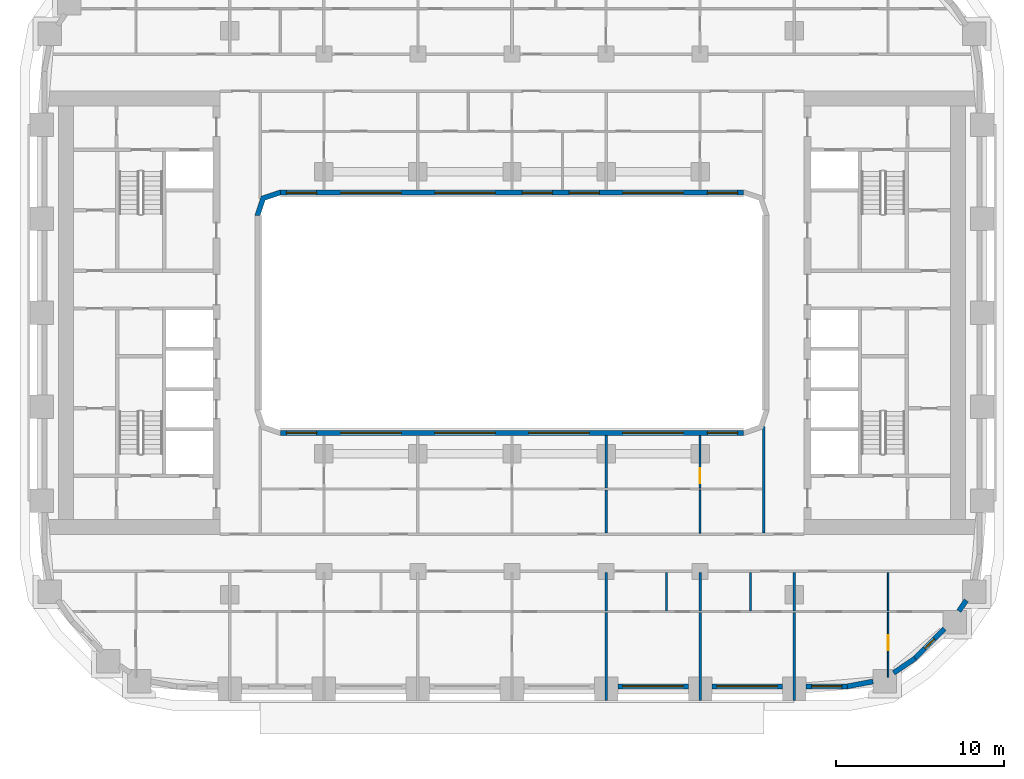
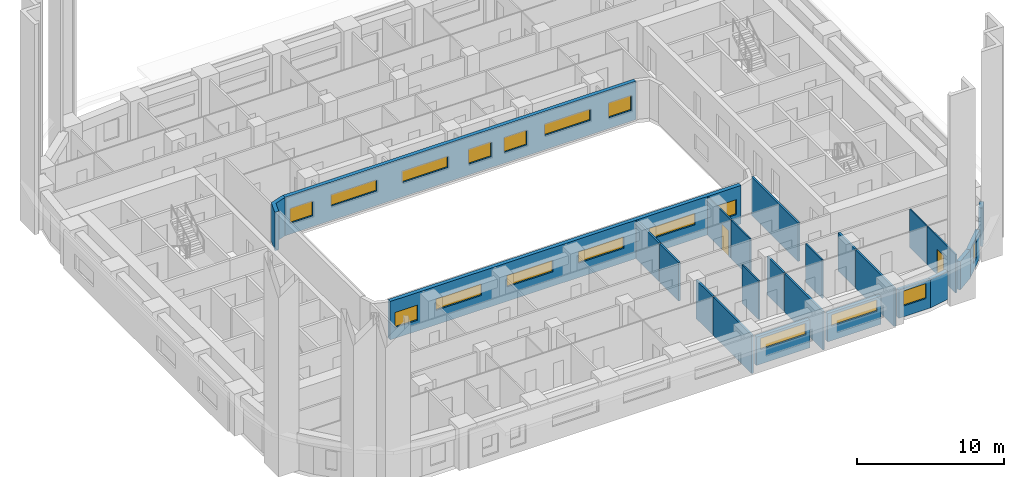
# One storey, part 5 of 22: 25 walls, 17 windows, 2 doors, 19 openings.
"""IFC4 building model written with IfcOpenShell, lengths in metres."""

from ifc_helpers import new_model, si_unit, direction, frame, frame_2d, origin, place, context, subcontext, project, spatial, polyline, rectangle, outline, extrude, material, layer, layer_set, type_object, element, fill, save


model = new_model("IFC4")

# Units and contexts
model_context = context("Model", 3, precision=1e-05, world=origin(), true_north=direction((0.0, 1.0)))
body_context = subcontext(model_context, "Body", "Model", "MODEL_VIEW")
ifc_project = project(units=[si_unit("LENGTHUNIT", "METRE"), si_unit("AREAUNIT", "SQUARE_METRE"), si_unit("VOLUMEUNIT", "CUBIC_METRE"), si_unit("PLANEANGLEUNIT", "RADIAN"), si_unit("MASSUNIT", "GRAM", prefix="KILO")], contexts=[model_context])

# Site, building, storey
site_placement = place(None, origin())
site = spatial("IfcSite", under=ifc_project, at=site_placement, CompositionType="ELEMENT")
building_placement = place(site_placement, origin())
building = spatial("IfcBuilding", under=site, at=building_placement, Name="Kiln Ring Residences", CompositionType="ELEMENT")
storey_placement = place(building_placement, frame((0.0, 0.0, 55.0)))
storey = spatial("IfcBuildingStorey", under=building, at=storey_placement, Name="L13", CompositionType="ELEMENT", Elevation=55.0)

# Wall, opening, window
ifc_material_1 = material(Name="Brick masonry, dark clay brick", Category="masonry")
ifc_layer_1 = layer(ifc_material_1, 0.300048828125)
ifc_layer_set_1 = layer_set([ifc_layer_1], Name="EW-300 BRICK WALL")
wall_type_1 = type_object("IfcWallType", Name="EW-300 BRICK WALL", PredefinedType="SOLIDWALL", material=ifc_layer_set_1)
wall_1_placement = place(storey_placement, frame((6.300048828125, -22.25, 0.0), z_axis=(0.0, 0.0, 1.0), x_axis=(1.0, 0.0, 0.0)))
wall_1 = element("IfcWall", 1, at=wall_1_placement, inside=storey, type_object=wall_type_1, Name="Facade wall L13 9", PredefinedType="SOLIDWALL", context=body_context, shape_type="SweptSolid", body=[
    extrude(rectangle(XDim=4.199951171875, YDim=0.300048828125, at=frame_2d((2.10009765625, 0.0))), origin(), (0.0, 0.0, 1.0), 2.35009765625),
])
opening_1_placement = place(wall_1_placement, frame((0.300048828125, 0.0, 1.199951171875)))
opening_1 = element("IfcOpeningElement", 2, at=opening_1_placement, cuts=wall_1, Name="Opening W4", PredefinedType="OPENING", context=body_context, shape_type="SweptSolid", body=[
    extrude(rectangle(XDim=3.60009765625, YDim=0.949951171875, at=frame_2d((1.800048828125, 0.47509765625))), frame((0.0, 0.159912109375, 0.0), z_axis=(0.0, -1.0, 0.0), x_axis=(1.0, 0.0, 0.0)), (0.0, 0.0, 1.0), 0.320068359375),
])
ifc_material_2 = material(Name="Aluminium frame with double glazing", Category="aluminium")
window_type_1 = type_object("IfcWindowType", Name="WINDOW 3600 x 950", PartitioningType="SINGLE_PANEL", PredefinedType="WINDOW", material=ifc_material_2)
window_1_placement = place(opening_1_placement, origin())
window_1 = element("IfcWindow", 3, at=window_1_placement, inside=storey, type_object=window_type_1, Name="Window L13 8", OverallHeight=0.949951171875, OverallWidth=3.60009765625, PartitioningType="SINGLE_PANEL", PredefinedType="WINDOW", context=body_context, shape_type="SweptSolid", body=[
    extrude(rectangle(XDim=3.60009765625, YDim=0.949951171875, at=frame_2d((1.800048828125, 0.47509765625))), frame((0.0, 0.030029296875, 0.0), z_axis=(0.0, -1.0, 0.0), x_axis=(1.0, 0.0, 0.0)), (0.0, 0.0, 1.0), 0.06005859375),
])
fill(opening_1, window_1)

wall_2_placement = place(storey_placement, frame((11.89990234375, -22.25, 0.0), z_axis=(0.0, 0.0, 1.0), x_axis=(1.0, 0.0, 0.0)))
wall_2 = element("IfcWall", 4, at=wall_2_placement, inside=storey, type_object=wall_type_1, Name="Facade wall L13 10", PredefinedType="SOLIDWALL", context=body_context, shape_type="SweptSolid", body=[
    extrude(rectangle(XDim=4.2001953125, YDim=0.300048828125, at=frame_2d((2.10009765625, 0.0))), origin(), (0.0, 0.0, 1.0), 2.35009765625),
])
opening_2_placement = place(wall_2_placement, frame((0.300048828125, 0.0, 1.199951171875)))
opening_2 = element("IfcOpeningElement", 5, at=opening_2_placement, cuts=wall_2, Name="Opening W4", PredefinedType="OPENING", context=body_context, shape_type="SweptSolid", body=[
    extrude(rectangle(XDim=3.60009765625, YDim=0.949951171875, at=frame_2d((1.800048828125, 0.47509765625))), frame((0.0, 0.159912109375, 0.0), z_axis=(0.0, -1.0, 0.0), x_axis=(1.0, 0.0, 0.0)), (0.0, 0.0, 1.0), 0.320068359375),
])
window_2_placement = place(opening_2_placement, origin())
window_2 = element("IfcWindow", 6, at=window_2_placement, inside=storey, type_object=window_type_1, Name="Window L13 9", OverallHeight=0.949951171875, OverallWidth=3.60009765625, PartitioningType="SINGLE_PANEL", PredefinedType="WINDOW", context=body_context, shape_type="SweptSolid", body=[
    extrude(rectangle(XDim=3.60009765625, YDim=0.949951171875, at=frame_2d((1.800048828125, 0.47509765625))), frame((0.0, 0.030029296875, 0.0), z_axis=(0.0, -1.0, 0.0), x_axis=(1.0, 0.0, 0.0)), (0.0, 0.0, 1.0), 0.06005859375),
])
fill(opening_2, window_2)

wall_3_placement = place(storey_placement, frame((17.5, -22.25, 0.0), z_axis=(0.0, 0.0, 1.0), x_axis=(1.0, 0.0, 0.0)))
wall_3 = element("IfcWall", 7, at=wall_3_placement, inside=storey, type_object=wall_type_1, Name="Facade wall L13 11", PredefinedType="SOLIDWALL", context=body_context, shape_type="SweptSolid", body=[
    extrude(rectangle(XDim=2.5, YDim=0.300048828125, at=frame_2d((1.25, 0.0))), origin(), (0.0, 0.0, 1.0), 2.35009765625),
])
opening_3_placement = place(wall_3_placement, frame((0.35009765625, 0.0, 0.89990234375)))
opening_3 = element("IfcOpeningElement", 8, at=opening_3_placement, cuts=wall_3, Name="Opening W2", PredefinedType="OPENING", context=body_context, shape_type="SweptSolid", body=[
    extrude(rectangle(XDim=1.800048828125, YDim=1.25, at=frame_2d((0.89990234375, 0.625))), frame((0.0, 0.159912109375, 0.0), z_axis=(0.0, -1.0, 0.0), x_axis=(1.0, 0.0, 0.0)), (0.0, 0.0, 1.0), 0.320068359375),
])
ifc_material_3 = material(Name="Aluminium frame with double glazing", Category="aluminium")
window_type_2 = type_object("IfcWindowType", Name="WINDOW 1800 x 1250", PartitioningType="SINGLE_PANEL", PredefinedType="WINDOW", material=ifc_material_3)
window_3_placement = place(opening_3_placement, origin())
window_3 = element("IfcWindow", 9, at=window_3_placement, inside=storey, type_object=window_type_2, Name="Window L13 10", OverallHeight=1.25, OverallWidth=1.800048828125, PartitioningType="SINGLE_PANEL", PredefinedType="WINDOW", context=body_context, shape_type="SweptSolid", body=[
    extrude(rectangle(XDim=1.800048828125, YDim=1.25, at=frame_2d((0.89990234375, 0.625))), frame((0.0, 0.030029296875, 0.0), z_axis=(0.0, -1.0, 0.0), x_axis=(1.0, 0.0, 0.0)), (0.0, 0.0, 1.0), 0.06005859375),
])
fill(opening_3, window_3)

# Walls
wall_4_placement = place(storey_placement, frame((19.971923828125, -22.252685546875, 0.0), z_axis=(0.0, 0.0, 1.0), x_axis=(0.982297345734, 0.187328386968, 0.0)))
element("IfcWall", 10, at=wall_4_placement, inside=storey, type_object=wall_type_1, Name="Facade wall L13 12", PredefinedType="SOLIDWALL", context=body_context, shape_type="SweptSolid", body=[
    extrude(rectangle(XDim=1.55615234375, YDim=0.300048828125, at=frame_2d((0.778076171875, 0.0))), origin(), (0.0, 0.0, 1.0), 2.35009765625),
])
wall_5_placement = place(storey_placement, frame((22.725830078125, -21.45361328125, 0.0), z_axis=(0.0, 0.0, 1.0), x_axis=(0.827019875346, 0.562172683241, 0.0)))
element("IfcWall", 11, at=wall_5_placement, inside=storey, type_object=wall_type_1, Name="Facade wall L13 13", PredefinedType="SOLIDWALL", context=body_context, shape_type="SweptSolid", body=[
    extrude(rectangle(XDim=1.555908203125, YDim=0.300048828125, at=frame_2d((0.77783203125, 0.0))), origin(), (0.0, 0.0, 1.0), 2.35009765625),
])

# Wall, opening, window
wall_6_placement = place(storey_placement, frame((23.990966796875, -20.596923828125, 0.0), z_axis=(0.0, 0.0, 1.0), x_axis=(0.707106781187, 0.707106781187, 0.0)))
wall_6 = element("IfcWall", 12, at=wall_6_placement, inside=storey, type_object=wall_type_1, Name="Facade wall L13 14", PredefinedType="SOLIDWALL", context=body_context, shape_type="SweptSolid", body=[
    extrude(rectangle(XDim=2.5, YDim=0.300048828125, at=frame_2d((1.25, 0.0))), origin(), (0.0, 0.0, 1.0), 2.35009765625),
])
opening_4_placement = place(wall_6_placement, frame((0.85009765625, 0.0, 0.60009765625)))
opening_4 = element("IfcOpeningElement", 13, at=opening_4_placement, cuts=wall_6, Name="Opening W5", PredefinedType="OPENING", context=body_context, shape_type="SweptSolid", body=[
    extrude(rectangle(XDim=0.800048828125, YDim=1.550048828125, at=frame_2d((0.39990234375, 0.77490234375))), frame((0.0, 0.159912109375, 0.0), z_axis=(0.0, -1.0, 0.0), x_axis=(1.0, 0.0, 0.0)), (0.0, 0.0, 1.0), 0.320068359375),
])
ifc_material_4 = material(Name="Aluminium frame with double glazing", Category="aluminium")
window_type_3 = type_object("IfcWindowType", Name="WINDOW 800 x 1550", PartitioningType="SINGLE_PANEL", PredefinedType="WINDOW", material=ifc_material_4)
window_4_placement = place(opening_4_placement, origin())
window_4 = element("IfcWindow", 14, at=window_4_placement, inside=storey, type_object=window_type_3, Name="Window L13 11", OverallHeight=1.550048828125, OverallWidth=0.800048828125, PartitioningType="SINGLE_PANEL", PredefinedType="WINDOW", context=body_context, shape_type="SweptSolid", body=[
    extrude(rectangle(XDim=0.800048828125, YDim=1.550048828125, at=frame_2d((0.39990234375, 0.77490234375))), frame((0.0, 0.030029296875, 0.0), z_axis=(0.0, -1.0, 0.0), x_axis=(1.0, 0.0, 0.0)), (0.0, 0.0, 1.0), 0.06005859375),
])
fill(opening_4, window_4)

# Wall
wall_7_placement = place(storey_placement, frame((26.61669921875, -17.7685546875, 0.0), z_axis=(0.0, 0.0, 1.0), x_axis=(0.562000651531, 0.827136788977, 0.0)))
element("IfcWall", 15, at=wall_7_placement, inside=storey, type_object=wall_type_1, Name="Facade wall L13 15", PredefinedType="SOLIDWALL", context=body_context, shape_type="SweptSolid", body=[
    extrude(rectangle(XDim=0.777099609375, YDim=0.300048828125, at=frame_2d((0.388671875, 0.0))), origin(), (0.0, 0.0, 1.0), 3.199951171875),
])

# Wall, openings, windows
wall_8_placement = place(storey_placement, frame((-13.800048828125, 7.14990234375, 0.0), z_axis=(0.0, 0.0, 1.0), x_axis=(1.0, 0.0, 0.0)))
wall_8 = element("IfcWall", 16, at=wall_8_placement, inside=storey, type_object=wall_type_1, Name="Facade wall L13 50", PredefinedType="SOLIDWALL", context=body_context, shape_type="SweptSolid", body=[
    extrude(rectangle(XDim=27.60009765625, YDim=0.300048828125, at=frame_2d((13.800048828125, 0.0))), origin(), (0.0, 0.0, 1.0), 3.199951171875),
])
opening_5_placement = place(wall_8_placement, frame((0.362548828125, 0.0, 0.89990234375)))
opening_5 = element("IfcOpeningElement", 17, at=opening_5_placement, cuts=wall_8, Name="Opening W2", PredefinedType="OPENING", context=body_context, shape_type="SweptSolid", body=[
    extrude(rectangle(XDim=1.800048828125, YDim=1.25, at=frame_2d((0.89990234375, 0.625))), frame((0.0, 0.159912109375, 0.0), z_axis=(0.0, -1.0, 0.0), x_axis=(1.0, 0.0, 0.0)), (0.0, 0.0, 1.0), 0.320068359375),
])
opening_6_placement = place(wall_8_placement, frame((3.60009765625, 0.0, 1.199951171875)))
opening_6 = element("IfcOpeningElement", 18, at=opening_6_placement, cuts=wall_8, Name="Opening W4", PredefinedType="OPENING", context=body_context, shape_type="SweptSolid", body=[
    extrude(rectangle(XDim=3.60009765625, YDim=0.949951171875, at=frame_2d((1.800048828125, 0.47509765625))), frame((0.0, 0.159912109375, 0.0), z_axis=(0.0, -1.0, 0.0), x_axis=(1.0, 0.0, 0.0)), (0.0, 0.0, 1.0), 0.320068359375),
])
opening_7_placement = place(wall_8_placement, frame((9.199951171875, 0.0, 1.199951171875)))
opening_7 = element("IfcOpeningElement", 19, at=opening_7_placement, cuts=wall_8, Name="Opening W4", PredefinedType="OPENING", context=body_context, shape_type="SweptSolid", body=[
    extrude(rectangle(XDim=3.60009765625, YDim=0.949951171875, at=frame_2d((1.800048828125, 0.47509765625))), frame((0.0, 0.159912109375, 0.0), z_axis=(0.0, -1.0, 0.0), x_axis=(1.0, 0.0, 0.0)), (0.0, 0.0, 1.0), 0.320068359375),
])
opening_8_placement = place(wall_8_placement, frame((14.39990234375, 0.0, 0.89990234375)))
opening_8 = element("IfcOpeningElement", 20, at=opening_8_placement, cuts=wall_8, Name="Opening W2", PredefinedType="OPENING", context=body_context, shape_type="SweptSolid", body=[
    extrude(rectangle(XDim=1.800048828125, YDim=1.25, at=frame_2d((0.89990234375, 0.625))), frame((0.0, 0.159912109375, 0.0), z_axis=(0.0, -1.0, 0.0), x_axis=(1.0, 0.0, 0.0)), (0.0, 0.0, 1.0), 0.320068359375),
])
opening_9_placement = place(wall_8_placement, frame((17.199951171875, 0.0, 0.89990234375)))
opening_9 = element("IfcOpeningElement", 21, at=opening_9_placement, cuts=wall_8, Name="Opening W2", PredefinedType="OPENING", context=body_context, shape_type="SweptSolid", body=[
    extrude(rectangle(XDim=1.800048828125, YDim=1.25, at=frame_2d((0.89990234375, 0.625))), frame((0.0, 0.159912109375, 0.0), z_axis=(0.0, -1.0, 0.0), x_axis=(1.0, 0.0, 0.0)), (0.0, 0.0, 1.0), 0.320068359375),
])
opening_10_placement = place(wall_8_placement, frame((20.39990234375, 0.0, 1.199951171875)))
opening_10 = element("IfcOpeningElement", 22, at=opening_10_placement, cuts=wall_8, Name="Opening W4", PredefinedType="OPENING", context=body_context, shape_type="SweptSolid", body=[
    extrude(rectangle(XDim=3.60009765625, YDim=0.949951171875, at=frame_2d((1.800048828125, 0.47509765625))), frame((0.0, 0.159912109375, 0.0), z_axis=(0.0, -1.0, 0.0), x_axis=(1.0, 0.0, 0.0)), (0.0, 0.0, 1.0), 0.320068359375),
])
opening_11_placement = place(wall_8_placement, frame((25.4375, 0.0, 0.89990234375)))
opening_11 = element("IfcOpeningElement", 23, at=opening_11_placement, cuts=wall_8, Name="Opening W2", PredefinedType="OPENING", context=body_context, shape_type="SweptSolid", body=[
    extrude(rectangle(XDim=1.800048828125, YDim=1.25, at=frame_2d((0.89990234375, 0.625))), frame((0.0, 0.159912109375, 0.0), z_axis=(0.0, -1.0, 0.0), x_axis=(1.0, 0.0, 0.0)), (0.0, 0.0, 1.0), 0.320068359375),
])
window_5_placement = place(opening_5_placement, origin())
window_5 = element("IfcWindow", 24, at=window_5_placement, inside=storey, type_object=window_type_2, Name="Window L13 23", OverallHeight=1.25, OverallWidth=1.800048828125, PartitioningType="SINGLE_PANEL", PredefinedType="WINDOW", context=body_context, shape_type="SweptSolid", body=[
    extrude(rectangle(XDim=1.800048828125, YDim=1.25, at=frame_2d((0.89990234375, 0.625))), frame((0.0, 0.030029296875, 0.0), z_axis=(0.0, -1.0, 0.0), x_axis=(1.0, 0.0, 0.0)), (0.0, 0.0, 1.0), 0.06005859375),
])
fill(opening_5, window_5)
window_6_placement = place(opening_8_placement, origin())
window_6 = element("IfcWindow", 25, at=window_6_placement, inside=storey, type_object=window_type_2, Name="Window L13 26", OverallHeight=1.25, OverallWidth=1.800048828125, PartitioningType="SINGLE_PANEL", PredefinedType="WINDOW", context=body_context, shape_type="SweptSolid", body=[
    extrude(rectangle(XDim=1.800048828125, YDim=1.25, at=frame_2d((0.89990234375, 0.625))), frame((0.0, 0.030029296875, 0.0), z_axis=(0.0, -1.0, 0.0), x_axis=(1.0, 0.0, 0.0)), (0.0, 0.0, 1.0), 0.06005859375),
])
fill(opening_8, window_6)
window_7_placement = place(opening_9_placement, origin())
window_7 = element("IfcWindow", 26, at=window_7_placement, inside=storey, type_object=window_type_2, Name="Window L13 27", OverallHeight=1.25, OverallWidth=1.800048828125, PartitioningType="SINGLE_PANEL", PredefinedType="WINDOW", context=body_context, shape_type="SweptSolid", body=[
    extrude(rectangle(XDim=1.800048828125, YDim=1.25, at=frame_2d((0.89990234375, 0.625))), frame((0.0, 0.030029296875, 0.0), z_axis=(0.0, -1.0, 0.0), x_axis=(1.0, 0.0, 0.0)), (0.0, 0.0, 1.0), 0.06005859375),
])
fill(opening_9, window_7)
window_8_placement = place(opening_11_placement, origin())
window_8 = element("IfcWindow", 27, at=window_8_placement, inside=storey, type_object=window_type_2, Name="Window L13 29", OverallHeight=1.25, OverallWidth=1.800048828125, PartitioningType="SINGLE_PANEL", PredefinedType="WINDOW", context=body_context, shape_type="SweptSolid", body=[
    extrude(rectangle(XDim=1.800048828125, YDim=1.25, at=frame_2d((0.89990234375, 0.625))), frame((0.0, 0.030029296875, 0.0), z_axis=(0.0, -1.0, 0.0), x_axis=(1.0, 0.0, 0.0)), (0.0, 0.0, 1.0), 0.06005859375),
])
fill(opening_11, window_8)
window_9_placement = place(opening_6_placement, origin())
window_9 = element("IfcWindow", 28, at=window_9_placement, inside=storey, type_object=window_type_1, Name="Window L13 24", OverallHeight=0.949951171875, OverallWidth=3.60009765625, PartitioningType="SINGLE_PANEL", PredefinedType="WINDOW", context=body_context, shape_type="SweptSolid", body=[
    extrude(rectangle(XDim=3.60009765625, YDim=0.949951171875, at=frame_2d((1.800048828125, 0.47509765625))), frame((0.0, 0.030029296875, 0.0), z_axis=(0.0, -1.0, 0.0), x_axis=(1.0, 0.0, 0.0)), (0.0, 0.0, 1.0), 0.06005859375),
])
fill(opening_6, window_9)
window_10_placement = place(opening_7_placement, origin())
window_10 = element("IfcWindow", 29, at=window_10_placement, inside=storey, type_object=window_type_1, Name="Window L13 25", OverallHeight=0.949951171875, OverallWidth=3.60009765625, PartitioningType="SINGLE_PANEL", PredefinedType="WINDOW", context=body_context, shape_type="SweptSolid", body=[
    extrude(rectangle(XDim=3.60009765625, YDim=0.949951171875, at=frame_2d((1.800048828125, 0.47509765625))), frame((0.0, 0.030029296875, 0.0), z_axis=(0.0, -1.0, 0.0), x_axis=(1.0, 0.0, 0.0)), (0.0, 0.0, 1.0), 0.06005859375),
])
fill(opening_7, window_10)
window_11_placement = place(opening_10_placement, origin())
window_11 = element("IfcWindow", 30, at=window_11_placement, inside=storey, type_object=window_type_1, Name="Window L13 28", OverallHeight=0.949951171875, OverallWidth=3.60009765625, PartitioningType="SINGLE_PANEL", PredefinedType="WINDOW", context=body_context, shape_type="SweptSolid", body=[
    extrude(rectangle(XDim=3.60009765625, YDim=0.949951171875, at=frame_2d((1.800048828125, 0.47509765625))), frame((0.0, 0.030029296875, 0.0), z_axis=(0.0, -1.0, 0.0), x_axis=(1.0, 0.0, 0.0)), (0.0, 0.0, 1.0), 0.06005859375),
])
fill(opening_10, window_11)

wall_9_placement = place(storey_placement, frame((13.800048828125, -7.14990234375, 0.0), z_axis=(0.0, 0.0, 1.0), x_axis=(-1.0, 0.0, 0.0)))
wall_9 = element("IfcWall", 31, at=wall_9_placement, inside=storey, type_object=wall_type_1, Name="Facade wall L13 52", PredefinedType="SOLIDWALL", context=body_context, shape_type="SweptSolid", body=[
    extrude(rectangle(XDim=27.60009765625, YDim=0.300048828125, at=frame_2d((13.800048828125, 0.0))), origin(), (0.0, 0.0, 1.0), 3.199951171875),
])
opening_12_placement = place(wall_9_placement, frame((0.362548828125, 0.0, 0.89990234375)))
opening_12 = element("IfcOpeningElement", 32, at=opening_12_placement, cuts=wall_9, Name="Opening W2", PredefinedType="OPENING", context=body_context, shape_type="SweptSolid", body=[
    extrude(rectangle(XDim=1.800048828125, YDim=1.25, at=frame_2d((0.89990234375, 0.625))), frame((0.0, 0.159912109375, 0.0), z_axis=(0.0, -1.0, 0.0), x_axis=(1.0, 0.0, 0.0)), (0.0, 0.0, 1.0), 0.320068359375),
])
opening_13_placement = place(wall_9_placement, frame((3.60009765625, 0.0, 1.199951171875)))
opening_13 = element("IfcOpeningElement", 33, at=opening_13_placement, cuts=wall_9, Name="Opening W4", PredefinedType="OPENING", context=body_context, shape_type="SweptSolid", body=[
    extrude(rectangle(XDim=3.60009765625, YDim=0.949951171875, at=frame_2d((1.800048828125, 0.47509765625))), frame((0.0, 0.159912109375, 0.0), z_axis=(0.0, -1.0, 0.0), x_axis=(1.0, 0.0, 0.0)), (0.0, 0.0, 1.0), 0.320068359375),
])
opening_14_placement = place(wall_9_placement, frame((9.199951171875, 0.0, 1.199951171875)))
opening_14 = element("IfcOpeningElement", 34, at=opening_14_placement, cuts=wall_9, Name="Opening W4", PredefinedType="OPENING", context=body_context, shape_type="SweptSolid", body=[
    extrude(rectangle(XDim=3.60009765625, YDim=0.949951171875, at=frame_2d((1.800048828125, 0.47509765625))), frame((0.0, 0.159912109375, 0.0), z_axis=(0.0, -1.0, 0.0), x_axis=(1.0, 0.0, 0.0)), (0.0, 0.0, 1.0), 0.320068359375),
])
opening_15_placement = place(wall_9_placement, frame((14.800048828125, 0.0, 1.199951171875)))
opening_15 = element("IfcOpeningElement", 35, at=opening_15_placement, cuts=wall_9, Name="Opening W4", PredefinedType="OPENING", context=body_context, shape_type="SweptSolid", body=[
    extrude(rectangle(XDim=3.60009765625, YDim=0.949951171875, at=frame_2d((1.800048828125, 0.47509765625))), frame((0.0, 0.159912109375, 0.0), z_axis=(0.0, -1.0, 0.0), x_axis=(1.0, 0.0, 0.0)), (0.0, 0.0, 1.0), 0.320068359375),
])
opening_16_placement = place(wall_9_placement, frame((20.39990234375, 0.0, 1.199951171875)))
opening_16 = element("IfcOpeningElement", 36, at=opening_16_placement, cuts=wall_9, Name="Opening W4", PredefinedType="OPENING", context=body_context, shape_type="SweptSolid", body=[
    extrude(rectangle(XDim=3.60009765625, YDim=0.949951171875, at=frame_2d((1.800048828125, 0.47509765625))), frame((0.0, 0.159912109375, 0.0), z_axis=(0.0, -1.0, 0.0), x_axis=(1.0, 0.0, 0.0)), (0.0, 0.0, 1.0), 0.320068359375),
])
opening_17_placement = place(wall_9_placement, frame((25.4375, 0.0, 0.89990234375)))
opening_17 = element("IfcOpeningElement", 37, at=opening_17_placement, cuts=wall_9, Name="Opening W2", PredefinedType="OPENING", context=body_context, shape_type="SweptSolid", body=[
    extrude(rectangle(XDim=1.800048828125, YDim=1.25, at=frame_2d((0.89990234375, 0.625))), frame((0.0, 0.159912109375, 0.0), z_axis=(0.0, -1.0, 0.0), x_axis=(1.0, 0.0, 0.0)), (0.0, 0.0, 1.0), 0.320068359375),
])
window_12_placement = place(opening_12_placement, origin())
window_12 = element("IfcWindow", 38, at=window_12_placement, inside=storey, type_object=window_type_2, Name="Window L13 30", OverallHeight=1.25, OverallWidth=1.800048828125, PartitioningType="SINGLE_PANEL", PredefinedType="WINDOW", context=body_context, shape_type="SweptSolid", body=[
    extrude(rectangle(XDim=1.800048828125, YDim=1.25, at=frame_2d((0.89990234375, 0.625))), frame((0.0, 0.030029296875, 0.0), z_axis=(0.0, -1.0, 0.0), x_axis=(1.0, 0.0, 0.0)), (0.0, 0.0, 1.0), 0.06005859375),
])
fill(opening_12, window_12)
window_13_placement = place(opening_17_placement, origin())
window_13 = element("IfcWindow", 39, at=window_13_placement, inside=storey, type_object=window_type_2, Name="Window L13 35", OverallHeight=1.25, OverallWidth=1.800048828125, PartitioningType="SINGLE_PANEL", PredefinedType="WINDOW", context=body_context, shape_type="SweptSolid", body=[
    extrude(rectangle(XDim=1.800048828125, YDim=1.25, at=frame_2d((0.89990234375, 0.625))), frame((0.0, 0.030029296875, 0.0), z_axis=(0.0, -1.0, 0.0), x_axis=(1.0, 0.0, 0.0)), (0.0, 0.0, 1.0), 0.06005859375),
])
fill(opening_17, window_13)
window_14_placement = place(opening_13_placement, origin())
window_14 = element("IfcWindow", 40, at=window_14_placement, inside=storey, type_object=window_type_1, Name="Window L13 31", OverallHeight=0.949951171875, OverallWidth=3.60009765625, PartitioningType="SINGLE_PANEL", PredefinedType="WINDOW", context=body_context, shape_type="SweptSolid", body=[
    extrude(rectangle(XDim=3.60009765625, YDim=0.949951171875, at=frame_2d((1.800048828125, 0.47509765625))), frame((0.0, 0.030029296875, 0.0), z_axis=(0.0, -1.0, 0.0), x_axis=(1.0, 0.0, 0.0)), (0.0, 0.0, 1.0), 0.06005859375),
])
fill(opening_13, window_14)
window_15_placement = place(opening_14_placement, origin())
window_15 = element("IfcWindow", 41, at=window_15_placement, inside=storey, type_object=window_type_1, Name="Window L13 32", OverallHeight=0.949951171875, OverallWidth=3.60009765625, PartitioningType="SINGLE_PANEL", PredefinedType="WINDOW", context=body_context, shape_type="SweptSolid", body=[
    extrude(rectangle(XDim=3.60009765625, YDim=0.949951171875, at=frame_2d((1.800048828125, 0.47509765625))), frame((0.0, 0.030029296875, 0.0), z_axis=(0.0, -1.0, 0.0), x_axis=(1.0, 0.0, 0.0)), (0.0, 0.0, 1.0), 0.06005859375),
])
fill(opening_14, window_15)
window_16_placement = place(opening_15_placement, origin())
window_16 = element("IfcWindow", 42, at=window_16_placement, inside=storey, type_object=window_type_1, Name="Window L13 33", OverallHeight=0.949951171875, OverallWidth=3.60009765625, PartitioningType="SINGLE_PANEL", PredefinedType="WINDOW", context=body_context, shape_type="SweptSolid", body=[
    extrude(rectangle(XDim=3.60009765625, YDim=0.949951171875, at=frame_2d((1.800048828125, 0.47509765625))), frame((0.0, 0.030029296875, 0.0), z_axis=(0.0, -1.0, 0.0), x_axis=(1.0, 0.0, 0.0)), (0.0, 0.0, 1.0), 0.06005859375),
])
fill(opening_15, window_16)
window_17_placement = place(opening_16_placement, origin())
window_17 = element("IfcWindow", 43, at=window_17_placement, inside=storey, type_object=window_type_1, Name="Window L13 34", OverallHeight=0.949951171875, OverallWidth=3.60009765625, PartitioningType="SINGLE_PANEL", PredefinedType="WINDOW", context=body_context, shape_type="SweptSolid", body=[
    extrude(rectangle(XDim=3.60009765625, YDim=0.949951171875, at=frame_2d((1.800048828125, 0.47509765625))), frame((0.0, 0.030029296875, 0.0), z_axis=(0.0, -1.0, 0.0), x_axis=(1.0, 0.0, 0.0)), (0.0, 0.0, 1.0), 0.06005859375),
])
fill(opening_16, window_17)

# Walls
wall_10_placement = place(storey_placement, origin())
element("IfcWall", 44, at=wall_10_placement, inside=storey, type_object=wall_type_1, Name="Corner wall L13 1", PredefinedType="SOLIDWALL", context=body_context, shape_type="SweptSolid", body=[
    extrude(outline(polyline([(-13.8486328125, 7.300048828125), (-14.937255859375, 6.937255859375), (-15.300048828125, 5.8486328125), (-15.300048828125, 5.800048828125), (-15.0, 5.800048828125), (-14.699951171875, 6.699951171875), (-13.800048828125, 7.0), (-13.800048828125, 7.300048828125), (-13.8486328125, 7.300048828125)])), origin(), (0.0, 0.0, 1.0), 3.199951171875),
])
ifc_material_5 = material(Name="Gypsum board on steel studs", Category="steel")
ifc_layer_2 = layer(ifc_material_5, 0.10009765625)
ifc_layer_set_2 = layer_set([ifc_layer_2], Name="PARTITION-100")
wall_type_2 = type_object("IfcWallType", Name="PARTITION-100", PredefinedType="PARTITIONING", material=ifc_layer_set_2)
wall_11_placement = place(storey_placement, frame((9.199951171875, -17.75, 0.0), z_axis=(0.0, 0.0, 1.0), x_axis=(0.0, 1.0, 0.0)))
element("IfcWall", 45, at=wall_11_placement, inside=storey, type_object=wall_type_2, Name="Partition 056", PredefinedType="PARTITIONING", context=body_context, shape_type="SweptSolid", body=[
    extrude(rectangle(XDim=2.27490234375, YDim=0.10009765625, at=frame_2d((1.137451171875, 0.0))), origin(), (0.0, 0.0, 1.0), 3.199951171875),
])
wall_12_placement = place(storey_placement, frame((11.199951171875, -13.125, 0.0), z_axis=(0.0, 0.0, 1.0), x_axis=(0.0, 1.0, 0.0)))
element("IfcWall", 46, at=wall_12_placement, inside=storey, type_object=wall_type_2, Name="Partition 057", PredefinedType="PARTITIONING", context=body_context, shape_type="SweptSolid", body=[
    extrude(rectangle(XDim=2.574951171875, YDim=0.10009765625, at=frame_2d((1.28759765625, 0.0))), origin(), (0.0, 0.0, 1.0), 3.199951171875),
])

# Wall, opening, door
wall_13_placement = place(storey_placement, frame((11.199951171875, -10.449951171875, 0.0), z_axis=(0.0, 0.0, 1.0), x_axis=(0.0, 1.0, 0.0)))
wall_13 = element("IfcWall", 47, at=wall_13_placement, inside=storey, type_object=wall_type_2, Name="Partition 058", PredefinedType="PARTITIONING", context=body_context, shape_type="SweptSolid", body=[
    extrude(rectangle(XDim=3.1298828125, YDim=0.10009765625, at=frame_2d((1.56494140625, 0.0))), origin(), (0.0, 0.0, 1.0), 3.199951171875),
])
opening_18_placement = place(wall_13_placement, frame((0.280029296875, 0.0, 0.0)))
opening_18 = element("IfcOpeningElement", 48, at=opening_18_placement, cuts=wall_13, Name="Opening L13-D052", PredefinedType="OPENING", context=body_context, shape_type="SweptSolid", body=[
    extrude(rectangle(XDim=0.89990234375, YDim=2.10009765625, at=frame_2d((0.449951171875, 1.050048828125))), frame((0.0, 0.06005859375, 0.0), z_axis=(0.0, -1.0, 0.0), x_axis=(1.0, 0.0, 0.0)), (0.0, 0.0, 1.0), 0.1201171875),
])
ifc_material_6 = material(Name="Timber door leaf", Category="wood")
door_type = type_object("IfcDoorType", Name="FLAT-DOOR-900-PL", OperationType="SINGLE_SWING_LEFT", PredefinedType="DOOR", material=ifc_material_6)
door_1_placement = place(opening_18_placement, origin())
door_1 = element("IfcDoor", 49, at=door_1_placement, inside=storey, type_object=door_type, Name="Door L13-D052", OperationType="SINGLE_SWING_RIGHT", OverallHeight=2.10009765625, OverallWidth=0.89990234375, PredefinedType="DOOR", context=body_context, shape_type="SweptSolid", body=[
    extrude(rectangle(XDim=0.89990234375, YDim=2.10009765625, at=frame_2d((0.449951171875, 1.050048828125))), frame((0.0, 0.02490234375, 0.0), z_axis=(0.0, -1.0, 0.0), x_axis=(1.0, 0.0, 0.0)), (0.0, 0.0, 1.0), 0.050048828125),
])
fill(opening_18, door_1)

# Wall
wall_14_placement = place(storey_placement, frame((14.199951171875, -17.75, 0.0), z_axis=(0.0, 0.0, 1.0), x_axis=(0.0, 1.0, 0.0)))
element("IfcWall", 50, at=wall_14_placement, inside=storey, type_object=wall_type_2, Name="Partition 065", PredefinedType="PARTITIONING", context=body_context, shape_type="SweptSolid", body=[
    extrude(rectangle(XDim=2.27490234375, YDim=0.10009765625, at=frame_2d((1.137451171875, 0.0))), origin(), (0.0, 0.0, 1.0), 3.199951171875),
])

# Wall, opening, door
wall_15_placement = place(storey_placement, frame((22.39990234375, -21.719970703125, 0.0), z_axis=(0.0, 0.0, 1.0), x_axis=(0.0, 1.0, 0.0)))
wall_15 = element("IfcWall", 51, at=wall_15_placement, inside=storey, type_object=wall_type_2, Name="Partition 072", PredefinedType="PARTITIONING", context=body_context, shape_type="SweptSolid", body=[
    extrude(rectangle(XDim=3.869873046875, YDim=0.10009765625, at=frame_2d((1.93505859375, 0.0))), origin(), (0.0, 0.0, 1.0), 3.199951171875),
])
opening_19_placement = place(wall_15_placement, frame((1.6220703125, 0.0, 0.0)))
opening_19 = element("IfcOpeningElement", 52, at=opening_19_placement, cuts=wall_15, Name="Opening L13-D076", PredefinedType="OPENING", context=body_context, shape_type="SweptSolid", body=[
    extrude(rectangle(XDim=0.89990234375, YDim=2.10009765625, at=frame_2d((0.449951171875, 1.050048828125))), frame((0.0, 0.06005859375, 0.0), z_axis=(0.0, -1.0, 0.0), x_axis=(1.0, 0.0, 0.0)), (0.0, 0.0, 1.0), 0.1201171875),
])
door_2_placement = place(opening_19_placement, origin())
door_2 = element("IfcDoor", 53, at=door_2_placement, inside=storey, type_object=door_type, Name="Door L13-D076", OperationType="SINGLE_SWING_RIGHT", OverallHeight=2.10009765625, OverallWidth=0.89990234375, PredefinedType="DOOR", context=body_context, shape_type="SweptSolid", body=[
    extrude(rectangle(XDim=0.89990234375, YDim=2.10009765625, at=frame_2d((0.449951171875, 1.050048828125))), frame((0.0, 0.02490234375, 0.0), z_axis=(0.0, -1.0, 0.0), x_axis=(1.0, 0.0, 0.0)), (0.0, 0.0, 1.0), 0.050048828125),
])
fill(opening_19, door_2)

# Walls
wall_16_placement = place(storey_placement, frame((22.39990234375, -17.75, 0.0), z_axis=(0.0, 0.0, 1.0), x_axis=(0.0, 1.0, 0.0)))
element("IfcWall", 54, at=wall_16_placement, inside=storey, type_object=wall_type_2, Name="Partition 073", PredefinedType="PARTITIONING", context=body_context, shape_type="SweptSolid", body=[
    extrude(rectangle(XDim=2.27490234375, YDim=0.10009765625, at=frame_2d((1.137451171875, 0.0))), origin(), (0.0, 0.0, 1.0), 3.199951171875),
])
ifc_material_7 = material(Name="Brick masonry partition", Category="masonry")
ifc_layer_3 = layer(ifc_material_7, 0.14990234375)
ifc_layer_set_3 = layer_set([ifc_layer_3], Name="PARTITION-150-ei60")
wall_type_3 = type_object("IfcWallType", Name="PARTITION-150-ei60", PredefinedType="PARTITIONING", material=ifc_layer_set_3)
wall_17_placement = place(storey_placement, frame((5.60009765625, -23.080078125, 0.0), z_axis=(0.0, 0.0, 1.0), x_axis=(0.0, 1.0, 0.0)))
element("IfcWall", 55, at=wall_17_placement, inside=storey, type_object=wall_type_3, Name="Partition 050", PredefinedType="PARTITIONING", context=body_context, shape_type="SweptSolid", body=[
    extrude(rectangle(XDim=5.22998046875, YDim=0.14990234375, at=frame_2d((2.614990234375, 0.0))), origin(), (0.0, 0.0, 1.0), 3.199951171875),
])
wall_18_placement = place(storey_placement, frame((5.60009765625, -17.75, 0.0), z_axis=(0.0, 0.0, 1.0), x_axis=(0.0, 1.0, 0.0)))
element("IfcWall", 56, at=wall_18_placement, inside=storey, type_object=wall_type_3, Name="Partition 051", PredefinedType="PARTITIONING", context=body_context, shape_type="SweptSolid", body=[
    extrude(rectangle(XDim=2.27490234375, YDim=0.14990234375, at=frame_2d((1.137451171875, 0.0))), origin(), (0.0, 0.0, 1.0), 3.199951171875),
])
wall_19_placement = place(storey_placement, frame((5.60009765625, -13.125, 0.0), z_axis=(0.0, 0.0, 1.0), x_axis=(0.0, 1.0, 0.0)))
element("IfcWall", 57, at=wall_19_placement, inside=storey, type_object=wall_type_3, Name="Partition 052", PredefinedType="PARTITIONING", context=body_context, shape_type="SweptSolid", body=[
    extrude(rectangle(XDim=2.574951171875, YDim=0.14990234375, at=frame_2d((1.28759765625, 0.0))), origin(), (0.0, 0.0, 1.0), 3.199951171875),
])
wall_20_placement = place(storey_placement, frame((5.60009765625, -10.449951171875, 0.0), z_axis=(0.0, 0.0, 1.0), x_axis=(0.0, 1.0, 0.0)))
element("IfcWall", 58, at=wall_20_placement, inside=storey, type_object=wall_type_3, Name="Partition 053", PredefinedType="PARTITIONING", context=body_context, shape_type="SweptSolid", body=[
    extrude(rectangle(XDim=3.1298828125, YDim=0.14990234375, at=frame_2d((1.56494140625, 0.0))), origin(), (0.0, 0.0, 1.0), 3.199951171875),
])
wall_21_placement = place(storey_placement, frame((11.199951171875, -23.080078125, 0.0), z_axis=(0.0, 0.0, 1.0), x_axis=(0.0, 1.0, 0.0)))
element("IfcWall", 59, at=wall_21_placement, inside=storey, type_object=wall_type_3, Name="Partition 063", PredefinedType="PARTITIONING", context=body_context, shape_type="SweptSolid", body=[
    extrude(rectangle(XDim=5.22998046875, YDim=0.14990234375, at=frame_2d((2.614990234375, 0.0))), origin(), (0.0, 0.0, 1.0), 3.199951171875),
])
wall_22_placement = place(storey_placement, frame((11.199951171875, -17.75, 0.0), z_axis=(0.0, 0.0, 1.0), x_axis=(0.0, 1.0, 0.0)))
element("IfcWall", 60, at=wall_22_placement, inside=storey, type_object=wall_type_3, Name="Partition 064", PredefinedType="PARTITIONING", context=body_context, shape_type="SweptSolid", body=[
    extrude(rectangle(XDim=2.27490234375, YDim=0.14990234375, at=frame_2d((1.137451171875, 0.0))), origin(), (0.0, 0.0, 1.0), 3.199951171875),
])
wall_23_placement = place(storey_placement, frame((15.0, -13.125, 0.0), z_axis=(0.0, 0.0, 1.0), x_axis=(0.0, 1.0, 0.0)))
element("IfcWall", 61, at=wall_23_placement, inside=storey, type_object=wall_type_3, Name="Partition 066", PredefinedType="PARTITIONING", context=body_context, shape_type="SweptSolid", body=[
    extrude(rectangle(XDim=6.356201171875, YDim=0.14990234375, at=frame_2d((3.17822265625, 0.0))), origin(), (0.0, 0.0, 1.0), 3.199951171875),
])
wall_24_placement = place(storey_placement, frame((16.800048828125, -23.080078125, 0.0), z_axis=(0.0, 0.0, 1.0), x_axis=(0.0, 1.0, 0.0)))
element("IfcWall", 62, at=wall_24_placement, inside=storey, type_object=wall_type_3, Name="Partition 068", PredefinedType="PARTITIONING", context=body_context, shape_type="SweptSolid", body=[
    extrude(rectangle(XDim=5.22998046875, YDim=0.14990234375, at=frame_2d((2.614990234375, 0.0))), origin(), (0.0, 0.0, 1.0), 3.199951171875),
])
wall_25_placement = place(storey_placement, frame((16.800048828125, -17.75, 0.0), z_axis=(0.0, 0.0, 1.0), x_axis=(0.0, 1.0, 0.0)))
element("IfcWall", 63, at=wall_25_placement, inside=storey, type_object=wall_type_3, Name="Partition 069", PredefinedType="PARTITIONING", context=body_context, shape_type="SweptSolid", body=[
    extrude(rectangle(XDim=2.27490234375, YDim=0.14990234375, at=frame_2d((1.137451171875, 0.0))), origin(), (0.0, 0.0, 1.0), 3.199951171875),
])

save(model, "model.ifc")
